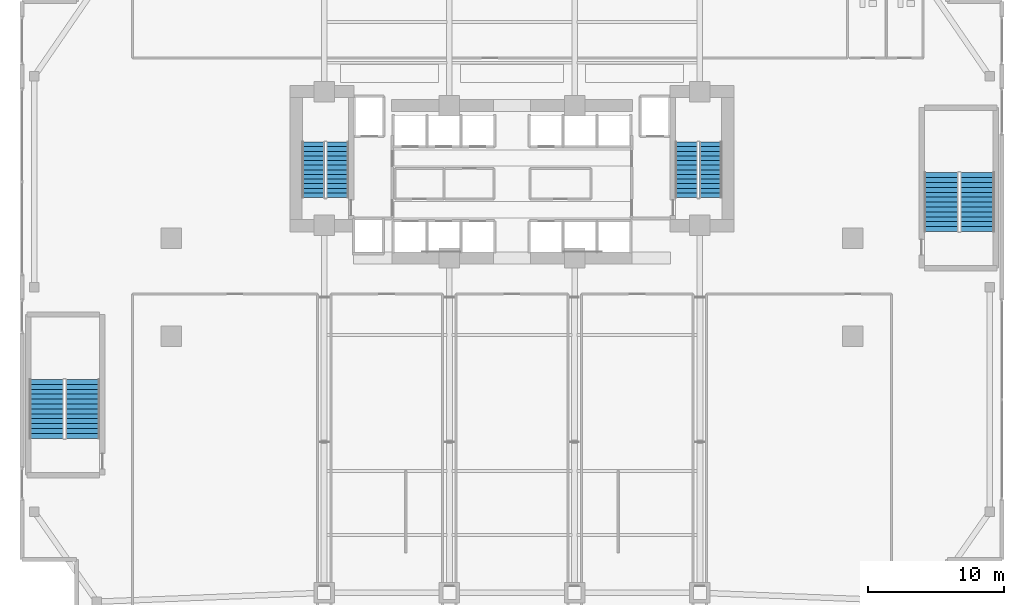
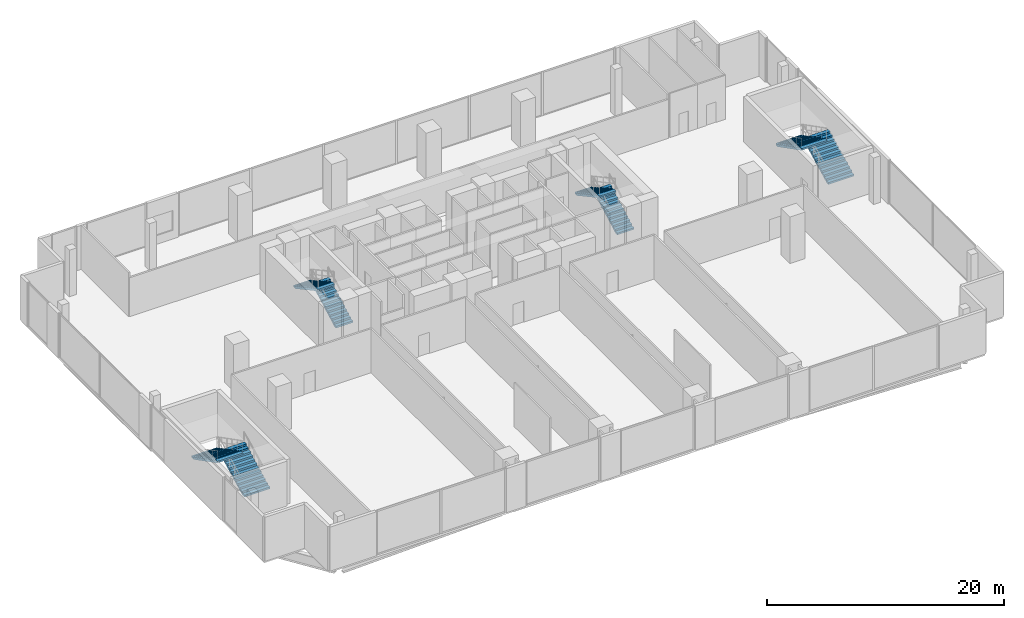
# One storey, part 29 of 33: 8 stair flights, 4 elements without a shape of their own.
"""IFC4 building model written with IfcOpenShell, lengths in metres."""

from ifc_helpers import new_model, si_unit, direction, frame, origin, place, context, subcontext, project, spatial, polyline, outline, extrude, material, layer, layer_set, type_object, element, aggregate, save


model = new_model("IFC4")

# Units and contexts
model_context = context("Model", 3, precision=1e-05, world=origin(), true_north=direction((0.0, 1.0)))
body_context = subcontext(model_context, "Body", "Model", "MODEL_VIEW")
ifc_project = project(units=[si_unit("LENGTHUNIT", "METRE"), si_unit("AREAUNIT", "SQUARE_METRE"), si_unit("VOLUMEUNIT", "CUBIC_METRE"), si_unit("PLANEANGLEUNIT", "RADIAN"), si_unit("MASSUNIT", "GRAM", prefix="KILO")], contexts=[model_context])

# Site, building, storey
site_placement = place(None, origin())
site = spatial("IfcSite", under=ifc_project, at=site_placement, CompositionType="ELEMENT")
building_placement = place(site_placement, origin())
building = spatial("IfcBuilding", under=site, at=building_placement, Name="Zuhayl Quay Hotel", CompositionType="ELEMENT")
storey_placement = place(building_placement, frame((0.0, 0.0, 18.0)))
storey = spatial("IfcBuildingStorey", under=building, at=storey_placement, Name="L03", CompositionType="ELEMENT", Elevation=18.0)

# Stair, stair flights
ifc_material = material(Name="Concrete C45/55", Category="concrete")
stair_type_1 = type_object("IfcStairType", Name="ST_DOGLEG_PODIUM", PredefinedType="HALF_TURN_STAIR", material=ifc_material)
stair_1_placement = place(storey_placement, origin())
stair_1 = element("IfcStair", 1, at=stair_1_placement, inside=storey, type_object=stair_type_1, Name="L03 Smokeproof Exit Stair ST3", PredefinedType="HALF_TURN_STAIR")
ifc_layer_1 = layer(ifc_material, 0.159912109375, Name="Concrete C45/55", Category="concrete")
ifc_layer_set_1 = layer_set([ifc_layer_1], Name="Concrete C45/55")
stair_flight_type_1 = type_object("IfcStairFlightType", Name="SF_CONC_160", PredefinedType="STRAIGHT", material=ifc_layer_set_1)
stair_flight_1_placement = place(storey_placement, frame((-31.550048828125, -11.10009765625, 0.0), z_axis=(0.0, 0.0, 1.0), x_axis=(0.0, 1.0, 0.0)))
stair_flight_1 = element("IfcStairFlight", 2, at=stair_flight_1_placement, type_object=stair_flight_type_1, Name="ST3 flight 1", NumberOfRisers=13, NumberOfTreads=12, PredefinedType="STRAIGHT", RiserHeight=0.184615385, TreadLength=0.36, context=body_context, shape_type="SweptSolid", body=[
    extrude(outline(polyline([(0.0, 0.0), (0.0, 0.1845703125), (0.360107421875, 0.1845703125), (0.360107421875, 0.369140625), (0.719970703125, 0.369140625), (0.719970703125, 0.553955078125), (1.080078125, 0.553955078125), (1.080078125, 0.738525390625), (1.43994140625, 0.738525390625), (1.43994140625, 0.923095703125), (1.800048828125, 0.923095703125), (1.800048828125, 1.107666015625), (2.159912109375, 1.107666015625), (2.159912109375, 1.292236328125), (2.52001953125, 1.292236328125), (2.52001953125, 1.476806640625), (2.8798828125, 1.476806640625), (2.8798828125, 1.66162109375), (3.239990234375, 1.66162109375), (3.239990234375, 1.84619140625), (3.60009765625, 1.84619140625), (3.60009765625, 2.03076171875), (3.9599609375, 2.03076171875), (3.9599609375, 2.21533203125), (4.320068359375, 2.21533203125), (4.320068359375, 2.39990234375), (4.320068359375, 2.046875), (0.32861328125, 0.0), (0.0, 0.0)])), frame((0.0, 1.25, 0.0), z_axis=(0.0, -1.0, 0.0), x_axis=(1.0, 0.0, 0.0)), (0.0, 0.0, 1.0), 2.5),
])
stair_flight_2_placement = place(storey_placement, frame((-34.199951171875, -6.780029296875, 2.39990234375), z_axis=(0.0, 0.0, 1.0), x_axis=(0.0, -1.0, 0.0)))
stair_flight_2 = element("IfcStairFlight", 3, at=stair_flight_2_placement, type_object=stair_flight_type_1, Name="ST3 flight 2", NumberOfRisers=13, NumberOfTreads=12, PredefinedType="STRAIGHT", RiserHeight=0.184615385, TreadLength=0.36, context=body_context, shape_type="SweptSolid", body=[
    extrude(outline(polyline([(0.0, 0.0), (0.0, 0.1845703125), (0.360107421875, 0.1845703125), (0.360107421875, 0.369140625), (0.719970703125, 0.369140625), (0.719970703125, 0.553955078125), (1.080078125, 0.553955078125), (1.080078125, 0.738525390625), (1.43994140625, 0.738525390625), (1.43994140625, 0.923095703125), (1.800048828125, 0.923095703125), (1.800048828125, 1.107666015625), (2.159912109375, 1.107666015625), (2.159912109375, 1.292236328125), (2.52001953125, 1.292236328125), (2.52001953125, 1.476806640625), (2.8798828125, 1.476806640625), (2.8798828125, 1.66162109375), (3.239990234375, 1.66162109375), (3.239990234375, 1.84619140625), (3.60009765625, 1.84619140625), (3.60009765625, 2.03076171875), (3.9599609375, 2.03076171875), (3.9599609375, 2.21533203125), (4.320068359375, 2.21533203125), (4.320068359375, 2.39990234375), (4.320068359375, 2.046875), (0.32861328125, 0.0), (0.0, 0.0)])), frame((0.0, 1.25, 0.0), z_axis=(0.0, -1.0, 0.0), x_axis=(1.0, 0.0, 0.0)), (0.0, 0.0, 1.0), 2.5),
])
aggregate(stair_1, [stair_flight_1, stair_flight_2])

stair_2_placement = place(storey_placement, origin())
stair_2 = element("IfcStair", 4, at=stair_2_placement, inside=storey, type_object=stair_type_1, Name="L03 Smokeproof Exit Stair ST4", PredefinedType="HALF_TURN_STAIR")
stair_flight_3_placement = place(storey_placement, frame((34.199951171875, 4.10009765625, 0.0), z_axis=(0.0, 0.0, 1.0), x_axis=(0.0, 1.0, 0.0)))
stair_flight_3 = element("IfcStairFlight", 5, at=stair_flight_3_placement, type_object=stair_flight_type_1, Name="ST4 flight 1", NumberOfRisers=13, NumberOfTreads=12, PredefinedType="STRAIGHT", RiserHeight=0.184615385, TreadLength=0.36, context=body_context, shape_type="SweptSolid", body=[
    extrude(outline(polyline([(0.0, 0.0), (0.0, 0.1845703125), (0.360107421875, 0.1845703125), (0.360107421875, 0.369140625), (0.719970703125, 0.369140625), (0.719970703125, 0.553955078125), (1.080078125, 0.553955078125), (1.080078125, 0.738525390625), (1.43994140625, 0.738525390625), (1.43994140625, 0.923095703125), (1.800048828125, 0.923095703125), (1.800048828125, 1.107666015625), (2.159912109375, 1.107666015625), (2.159912109375, 1.292236328125), (2.52001953125, 1.292236328125), (2.52001953125, 1.476806640625), (2.8798828125, 1.476806640625), (2.8798828125, 1.66162109375), (3.239990234375, 1.66162109375), (3.239990234375, 1.84619140625), (3.60009765625, 1.84619140625), (3.60009765625, 2.03076171875), (3.9599609375, 2.03076171875), (3.9599609375, 2.21533203125), (4.320068359375, 2.21533203125), (4.320068359375, 2.39990234375), (4.320068359375, 2.046875), (0.32861328125, 0.0), (0.0, 0.0)])), frame((0.0, 1.25, 0.0), z_axis=(0.0, -1.0, 0.0), x_axis=(1.0, 0.0, 0.0)), (0.0, 0.0, 1.0), 2.5),
])
stair_flight_4_placement = place(storey_placement, frame((31.550048828125, 8.419921875, 2.39990234375), z_axis=(0.0, 0.0, 1.0), x_axis=(0.0, -1.0, 0.0)))
stair_flight_4 = element("IfcStairFlight", 6, at=stair_flight_4_placement, type_object=stair_flight_type_1, Name="ST4 flight 2", NumberOfRisers=13, NumberOfTreads=12, PredefinedType="STRAIGHT", RiserHeight=0.184615385, TreadLength=0.36, context=body_context, shape_type="SweptSolid", body=[
    extrude(outline(polyline([(0.0, 0.0), (0.0, 0.1845703125), (0.360107421875, 0.1845703125), (0.360107421875, 0.369140625), (0.719970703125, 0.369140625), (0.719970703125, 0.553955078125), (1.080078125, 0.553955078125), (1.080078125, 0.738525390625), (1.43994140625, 0.738525390625), (1.43994140625, 0.923095703125), (1.800048828125, 0.923095703125), (1.800048828125, 1.107666015625), (2.159912109375, 1.107666015625), (2.159912109375, 1.292236328125), (2.52001953125, 1.292236328125), (2.52001953125, 1.476806640625), (2.8798828125, 1.476806640625), (2.8798828125, 1.66162109375), (3.239990234375, 1.66162109375), (3.239990234375, 1.84619140625), (3.60009765625, 1.84619140625), (3.60009765625, 2.03076171875), (3.9599609375, 2.03076171875), (3.9599609375, 2.21533203125), (4.320068359375, 2.21533203125), (4.320068359375, 2.39990234375), (4.320068359375, 2.046875), (0.32861328125, 0.0), (0.0, 0.0)])), frame((0.0, 1.25, 0.0), z_axis=(0.0, -1.0, 0.0), x_axis=(1.0, 0.0, 0.0)), (0.0, 0.0, 1.0), 2.5),
])
aggregate(stair_2, [stair_flight_3, stair_flight_4])

stair_type_2 = type_object("IfcStairType", Name="ST_DOGLEG_TOWER", PredefinedType="HALF_TURN_STAIR", material=ifc_material)
stair_3_placement = place(storey_placement, origin())
stair_3 = element("IfcStair", 7, at=stair_3_placement, inside=storey, type_object=stair_type_2, Name="L03 Smokeproof Exit Stair ST1", PredefinedType="HALF_TURN_STAIR")
ifc_layer_2 = layer(ifc_material, 0.159912109375, Name="Concrete C45/55", Category="concrete")
ifc_layer_set_2 = layer_set([ifc_layer_2], Name="Concrete C45/55")
stair_flight_type_2 = type_object("IfcStairFlightType", Name="SF_CONC_164", PredefinedType="STRAIGHT", material=ifc_layer_set_2)
stair_flight_5_placement = place(storey_placement, frame((-12.820068359375, 6.590087890625, 0.0), z_axis=(0.0, 0.0, 1.0), x_axis=(0.0, 1.0, 0.0)))
stair_flight_5 = element("IfcStairFlight", 8, at=stair_flight_5_placement, type_object=stair_flight_type_2, Name="ST1 flight 1", NumberOfRisers=13, NumberOfTreads=12, PredefinedType="STRAIGHT", RiserHeight=0.184615385, TreadLength=0.34, context=body_context, shape_type="SweptSolid", body=[
    extrude(outline(polyline([(0.0, 0.0), (0.0, 0.1845703125), (0.340087890625, 0.1845703125), (0.340087890625, 0.369140625), (0.679931640625, 0.369140625), (0.679931640625, 0.553955078125), (1.02001953125, 0.553955078125), (1.02001953125, 0.738525390625), (1.360107421875, 0.738525390625), (1.360107421875, 0.923095703125), (1.699951171875, 0.923095703125), (1.699951171875, 1.107666015625), (2.0400390625, 1.107666015625), (2.0400390625, 1.292236328125), (2.3798828125, 1.292236328125), (2.3798828125, 1.476806640625), (2.719970703125, 1.476806640625), (2.719970703125, 1.66162109375), (3.06005859375, 1.66162109375), (3.06005859375, 1.84619140625), (3.39990234375, 1.84619140625), (3.39990234375, 2.03076171875), (3.739990234375, 2.03076171875), (3.739990234375, 2.21533203125), (4.080078125, 2.21533203125), (4.080078125, 2.39990234375), (4.080078125, 2.044921875), (0.314208984375, 0.0), (0.0, 0.0)])), frame((0.0, 0.81982421875, 0.0), z_axis=(0.0, -1.0, 0.0), x_axis=(1.0, 0.0, 0.0)), (0.0, 0.0, 1.0), 1.639892578125),
])
stair_flight_6_placement = place(storey_placement, frame((-14.610107421875, 10.669921875, 2.39990234375), z_axis=(0.0, 0.0, 1.0), x_axis=(0.0, -1.0, 0.0)))
stair_flight_6 = element("IfcStairFlight", 9, at=stair_flight_6_placement, type_object=stair_flight_type_2, Name="ST1 flight 2", NumberOfRisers=13, NumberOfTreads=12, PredefinedType="STRAIGHT", RiserHeight=0.184615385, TreadLength=0.34, context=body_context, shape_type="SweptSolid", body=[
    extrude(outline(polyline([(0.0, 0.0), (0.0, 0.1845703125), (0.340087890625, 0.1845703125), (0.340087890625, 0.369140625), (0.679931640625, 0.369140625), (0.679931640625, 0.553955078125), (1.02001953125, 0.553955078125), (1.02001953125, 0.738525390625), (1.360107421875, 0.738525390625), (1.360107421875, 0.923095703125), (1.699951171875, 0.923095703125), (1.699951171875, 1.107666015625), (2.0400390625, 1.107666015625), (2.0400390625, 1.292236328125), (2.3798828125, 1.292236328125), (2.3798828125, 1.476806640625), (2.719970703125, 1.476806640625), (2.719970703125, 1.66162109375), (3.06005859375, 1.66162109375), (3.06005859375, 1.84619140625), (3.39990234375, 1.84619140625), (3.39990234375, 2.03076171875), (3.739990234375, 2.03076171875), (3.739990234375, 2.21533203125), (4.080078125, 2.21533203125), (4.080078125, 2.39990234375), (4.080078125, 2.044921875), (0.314208984375, 0.0), (0.0, 0.0)])), frame((0.0, 0.81982421875, 0.0), z_axis=(0.0, -1.0, 0.0), x_axis=(1.0, 0.0, 0.0)), (0.0, 0.0, 1.0), 1.639892578125),
])
aggregate(stair_3, [stair_flight_5, stair_flight_6])

stair_4_placement = place(storey_placement, origin())
stair_4 = element("IfcStair", 10, at=stair_4_placement, inside=storey, type_object=stair_type_2, Name="L03 Smokeproof Exit Stair ST2", PredefinedType="HALF_TURN_STAIR")
stair_flight_7_placement = place(storey_placement, frame((14.610107421875, 6.590087890625, 0.0), z_axis=(0.0, 0.0, 1.0), x_axis=(0.0, 1.0, 0.0)))
stair_flight_7 = element("IfcStairFlight", 11, at=stair_flight_7_placement, type_object=stair_flight_type_2, Name="ST2 flight 1", NumberOfRisers=13, NumberOfTreads=12, PredefinedType="STRAIGHT", RiserHeight=0.184615385, TreadLength=0.34, context=body_context, shape_type="SweptSolid", body=[
    extrude(outline(polyline([(0.0, 0.0), (0.0, 0.1845703125), (0.340087890625, 0.1845703125), (0.340087890625, 0.369140625), (0.679931640625, 0.369140625), (0.679931640625, 0.553955078125), (1.02001953125, 0.553955078125), (1.02001953125, 0.738525390625), (1.360107421875, 0.738525390625), (1.360107421875, 0.923095703125), (1.699951171875, 0.923095703125), (1.699951171875, 1.107666015625), (2.0400390625, 1.107666015625), (2.0400390625, 1.292236328125), (2.3798828125, 1.292236328125), (2.3798828125, 1.476806640625), (2.719970703125, 1.476806640625), (2.719970703125, 1.66162109375), (3.06005859375, 1.66162109375), (3.06005859375, 1.84619140625), (3.39990234375, 1.84619140625), (3.39990234375, 2.03076171875), (3.739990234375, 2.03076171875), (3.739990234375, 2.21533203125), (4.080078125, 2.21533203125), (4.080078125, 2.39990234375), (4.080078125, 2.044921875), (0.314208984375, 0.0), (0.0, 0.0)])), frame((0.0, 0.81982421875, 0.0), z_axis=(0.0, -1.0, 0.0), x_axis=(1.0, 0.0, 0.0)), (0.0, 0.0, 1.0), 1.639892578125),
])
stair_flight_8_placement = place(storey_placement, frame((12.820068359375, 10.669921875, 2.39990234375), z_axis=(0.0, 0.0, 1.0), x_axis=(0.0, -1.0, 0.0)))
stair_flight_8 = element("IfcStairFlight", 12, at=stair_flight_8_placement, type_object=stair_flight_type_2, Name="ST2 flight 2", NumberOfRisers=13, NumberOfTreads=12, PredefinedType="STRAIGHT", RiserHeight=0.184615385, TreadLength=0.34, context=body_context, shape_type="SweptSolid", body=[
    extrude(outline(polyline([(0.0, 0.0), (0.0, 0.1845703125), (0.340087890625, 0.1845703125), (0.340087890625, 0.369140625), (0.679931640625, 0.369140625), (0.679931640625, 0.553955078125), (1.02001953125, 0.553955078125), (1.02001953125, 0.738525390625), (1.360107421875, 0.738525390625), (1.360107421875, 0.923095703125), (1.699951171875, 0.923095703125), (1.699951171875, 1.107666015625), (2.0400390625, 1.107666015625), (2.0400390625, 1.292236328125), (2.3798828125, 1.292236328125), (2.3798828125, 1.476806640625), (2.719970703125, 1.476806640625), (2.719970703125, 1.66162109375), (3.06005859375, 1.66162109375), (3.06005859375, 1.84619140625), (3.39990234375, 1.84619140625), (3.39990234375, 2.03076171875), (3.739990234375, 2.03076171875), (3.739990234375, 2.21533203125), (4.080078125, 2.21533203125), (4.080078125, 2.39990234375), (4.080078125, 2.044921875), (0.314208984375, 0.0), (0.0, 0.0)])), frame((0.0, 0.81982421875, 0.0), z_axis=(0.0, -1.0, 0.0), x_axis=(1.0, 0.0, 0.0)), (0.0, 0.0, 1.0), 1.639892578125),
])
aggregate(stair_4, [stair_flight_7, stair_flight_8])

save(model, "model.ifc")
